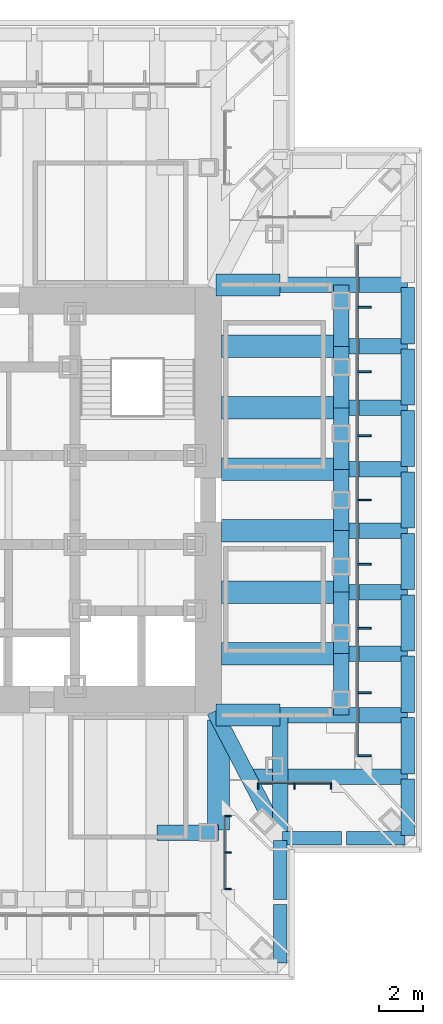
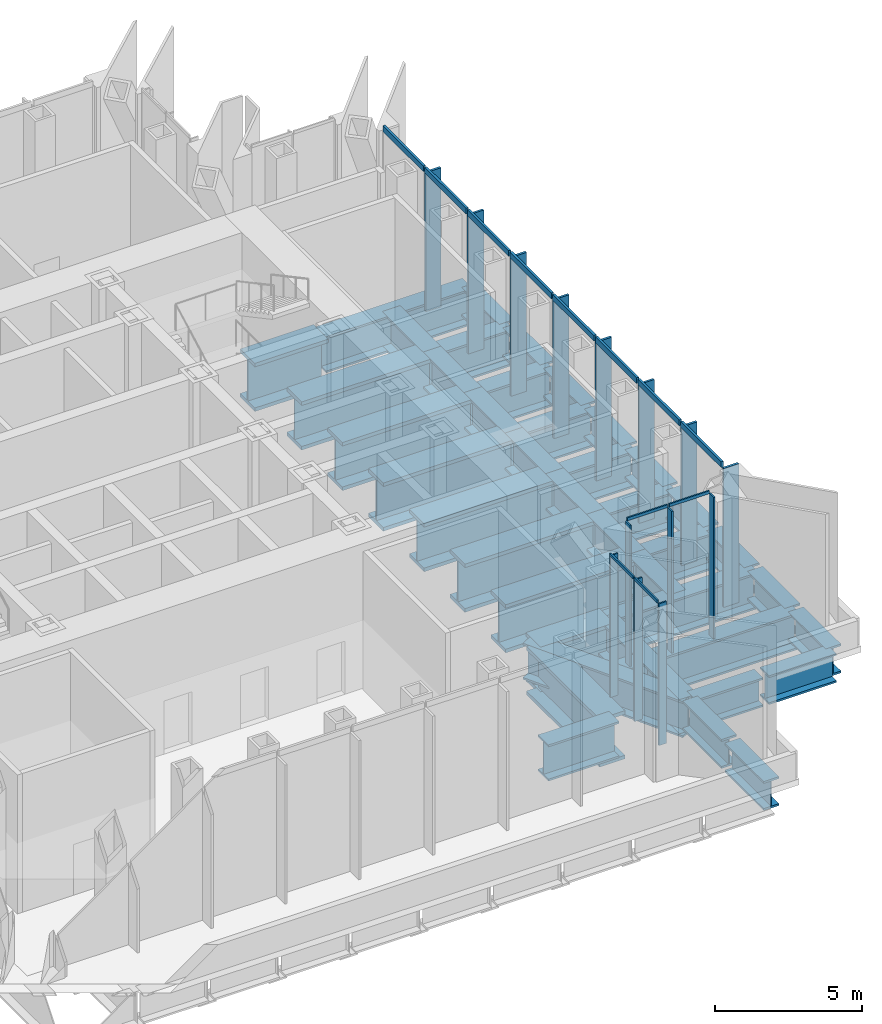
# One storey, part 4 of 13: 41 beams, 26 members, 3 elements without a shape of their own.
"""IFC4 building model written with IfcOpenShell, lengths in metres."""

from ifc_helpers import new_model, si_unit, direction, frame, origin, origin_2d, place, context, subcontext, project, spatial, rectangle, i_section, extrude, material, material_profile, profile_set, type_object, element, aggregate, save


model = new_model("IFC4")

# Units and contexts
model_context = context("Model", 3, precision=1e-05, world=origin(), true_north=direction((0.0, 1.0)))
body_context = subcontext(model_context, "Body", "Model", "MODEL_VIEW")
ifc_project = project(units=[si_unit("LENGTHUNIT", "METRE"), si_unit("AREAUNIT", "SQUARE_METRE"), si_unit("VOLUMEUNIT", "CUBIC_METRE"), si_unit("PLANEANGLEUNIT", "RADIAN"), si_unit("MASSUNIT", "GRAM", prefix="KILO")], contexts=[model_context])

# Site, building, storey
site_placement = place(None, origin())
site = spatial("IfcSite", under=ifc_project, at=site_placement, CompositionType="ELEMENT")
building_placement = place(site_placement, origin())
building = spatial("IfcBuilding", under=site, at=building_placement, Name="Daluyong Arena Tower", CompositionType="ELEMENT")
storey_placement = place(building_placement, frame((0.0, 0.0, 279.699951171875)))
storey = spatial("IfcBuildingStorey", under=building, at=storey_placement, Name="L63", CompositionType="ELEMENT", Elevation=279.699951171875)

# Curtain wall, members
ifc_material_1 = material(Name="Bronze anodised aluminium and glass", Category="aluminium")
curtain_wall_type_1 = type_object("IfcCurtainWallType", Name="Curtain wall CW5", PredefinedType="USERDEFINED", material=ifc_material_1)
curtain_wall_1_placement = place(storey_placement, origin())
curtain_wall_1 = element("IfcCurtainWall", 1, at=curtain_wall_1_placement, inside=storey, type_object=curtain_wall_type_1, Name="curtain wall L63 E", ObjectType="UNITISED CURTAIN WALL", PredefinedType="USERDEFINED")
ifc_material_2 = material(Name="Bronze anodised aluminium fin", Category="aluminium")
ifc_material_profile_1 = material_profile(ifc_material_2, rectangle(XDim=0.60009765625, YDim=0.090087890625, at=origin_2d()))
ifc_profile_set_1 = profile_set([ifc_material_profile_1], Name="Bronze anodised aluminium fin")
member_type_1 = type_object("IfcMemberType", Name="CW5 bronze fin 600x90", PredefinedType="MULLION", material=ifc_profile_set_1)
member_1_placement = place(storey_placement, frame((75.050048828125, 68.45947265625, 0.0), z_axis=(0.0, 0.0, 1.0), x_axis=(-1.0, 0.0, 0.0)))
member_1 = element("IfcMember", 2, at=member_1_placement, type_object=member_type_1, Name="curtain wall L63 E fin 1", PredefinedType="MULLION", context=body_context, shape_type="SweptSolid", body=[
    extrude(rectangle(XDim=0.60009765625, YDim=0.090087890625, at=origin_2d()), origin(), (0.0, 0.0, 1.0), 5.760009765625),
])
member_2_placement = place(storey_placement, frame((75.050048828125, 71.310791015625, 0.0), z_axis=(0.0, 0.0, 1.0), x_axis=(-1.0, 0.0, 0.0)))
member_2 = element("IfcMember", 3, at=member_2_placement, type_object=member_type_1, Name="curtain wall L63 E fin 2", PredefinedType="MULLION", context=body_context, shape_type="SweptSolid", body=[
    extrude(rectangle(XDim=0.60009765625, YDim=0.090087890625, at=origin_2d()), origin(), (0.0, 0.0, 1.0), 5.760009765625),
])
member_3_placement = place(storey_placement, frame((75.050048828125, 74.207275390625, 0.0), z_axis=(0.0, 0.0, 1.0), x_axis=(-1.0, 0.0, 0.0)))
member_3 = element("IfcMember", 4, at=member_3_placement, type_object=member_type_1, Name="curtain wall L63 E fin 3", PredefinedType="MULLION", context=body_context, shape_type="SweptSolid", body=[
    extrude(rectangle(XDim=0.60009765625, YDim=0.090087890625, at=origin_2d()), origin(), (0.0, 0.0, 1.0), 5.760009765625),
])
member_4_placement = place(storey_placement, frame((75.050048828125, 77.103515625, 0.0), z_axis=(0.0, 0.0, 1.0), x_axis=(-1.0, 0.0, 0.0)))
member_4 = element("IfcMember", 5, at=member_4_placement, type_object=member_type_1, Name="curtain wall L63 E fin 4", PredefinedType="MULLION", context=body_context, shape_type="SweptSolid", body=[
    extrude(rectangle(XDim=0.60009765625, YDim=0.090087890625, at=origin_2d()), origin(), (0.0, 0.0, 1.0), 5.760009765625),
])
member_5_placement = place(storey_placement, frame((75.050048828125, 80.0, 0.0), z_axis=(0.0, 0.0, 1.0), x_axis=(-1.0, 0.0, 0.0)))
member_5 = element("IfcMember", 6, at=member_5_placement, type_object=member_type_1, Name="curtain wall L63 E fin 5", PredefinedType="MULLION", context=body_context, shape_type="SweptSolid", body=[
    extrude(rectangle(XDim=0.60009765625, YDim=0.090087890625, at=origin_2d()), origin(), (0.0, 0.0, 1.0), 5.760009765625),
])
member_6_placement = place(storey_placement, frame((75.050048828125, 82.896484375, 0.0), z_axis=(0.0, 0.0, 1.0), x_axis=(-1.0, 0.0, 0.0)))
member_6 = element("IfcMember", 7, at=member_6_placement, type_object=member_type_1, Name="curtain wall L63 E fin 6", PredefinedType="MULLION", context=body_context, shape_type="SweptSolid", body=[
    extrude(rectangle(XDim=0.60009765625, YDim=0.090087890625, at=origin_2d()), origin(), (0.0, 0.0, 1.0), 5.760009765625),
])
member_7_placement = place(storey_placement, frame((75.050048828125, 85.792724609375, 0.0), z_axis=(0.0, 0.0, 1.0), x_axis=(-1.0, 0.0, 0.0)))
member_7 = element("IfcMember", 8, at=member_7_placement, type_object=member_type_1, Name="curtain wall L63 E fin 7", PredefinedType="MULLION", context=body_context, shape_type="SweptSolid", body=[
    extrude(rectangle(XDim=0.60009765625, YDim=0.090087890625, at=origin_2d()), origin(), (0.0, 0.0, 1.0), 5.760009765625),
])
member_8_placement = place(storey_placement, frame((75.050048828125, 88.689208984375, 0.0), z_axis=(0.0, 0.0, 1.0), x_axis=(-1.0, 0.0, 0.0)))
member_8 = element("IfcMember", 9, at=member_8_placement, type_object=member_type_1, Name="curtain wall L63 E fin 8", PredefinedType="MULLION", context=body_context, shape_type="SweptSolid", body=[
    extrude(rectangle(XDim=0.60009765625, YDim=0.090087890625, at=origin_2d()), origin(), (0.0, 0.0, 1.0), 5.760009765625),
])
ifc_material_3 = material(Name="Bronze anodised aluminium", Category="aluminium")
ifc_material_profile_2 = material_profile(ifc_material_3, rectangle(XDim=0.090087890625, YDim=0.239990234375, at=origin_2d()))
ifc_profile_set_2 = profile_set([ifc_material_profile_2], Name="Bronze anodised aluminium")
member_type_2 = type_object("IfcMemberType", Name="CW5 stack transom 240x90", PredefinedType="USERDEFINED", material=ifc_profile_set_2)
member_9_placement = place(storey_placement, frame((74.75, 68.50439453125, 5.880126953125), z_axis=(0.0, 1.0, 0.0), x_axis=(-1.0, 0.0, 0.0)))
member_9 = element("IfcMember", 10, at=member_9_placement, type_object=member_type_2, Name="curtain wall L63 E transom 1", ObjectType="TRANSOM", PredefinedType="USERDEFINED", context=body_context, shape_type="SweptSolid", body=[
    extrude(rectangle(XDim=0.090087890625, YDim=0.239990234375, at=origin_2d()), origin(), (0.0, 0.0, 1.0), 2.761474609375),
])
member_10_placement = place(storey_placement, frame((74.75, 71.35595703125, 5.880126953125), z_axis=(0.0, 1.0, 0.0), x_axis=(-1.0, 0.0, 0.0)))
member_10 = element("IfcMember", 11, at=member_10_placement, type_object=member_type_2, Name="curtain wall L63 E transom 2", ObjectType="TRANSOM", PredefinedType="USERDEFINED", context=body_context, shape_type="SweptSolid", body=[
    extrude(rectangle(XDim=0.090087890625, YDim=0.239990234375, at=origin_2d()), origin(), (0.0, 0.0, 1.0), 2.806396484375),
])
member_11_placement = place(storey_placement, frame((74.75, 74.252197265625, 5.880126953125), z_axis=(0.0, 1.0, 0.0), x_axis=(-1.0, 0.0, 0.0)))
member_11 = element("IfcMember", 12, at=member_11_placement, type_object=member_type_2, Name="curtain wall L63 E transom 3", ObjectType="TRANSOM", PredefinedType="USERDEFINED", context=body_context, shape_type="SweptSolid", body=[
    extrude(rectangle(XDim=0.090087890625, YDim=0.239990234375, at=origin_2d()), origin(), (0.0, 0.0, 1.0), 2.806396484375),
])
member_12_placement = place(storey_placement, frame((74.75, 77.148681640625, 5.880126953125), z_axis=(0.0, 1.0, 0.0), x_axis=(-1.0, 0.0, 0.0)))
member_12 = element("IfcMember", 13, at=member_12_placement, type_object=member_type_2, Name="curtain wall L63 E transom 4", ObjectType="TRANSOM", PredefinedType="USERDEFINED", context=body_context, shape_type="SweptSolid", body=[
    extrude(rectangle(XDim=0.090087890625, YDim=0.239990234375, at=origin_2d()), origin(), (0.0, 0.0, 1.0), 2.806396484375),
])
member_13_placement = place(storey_placement, frame((74.75, 80.044921875, 5.880126953125), z_axis=(0.0, 1.0, 0.0), x_axis=(-1.0, 0.0, 0.0)))
member_13 = element("IfcMember", 14, at=member_13_placement, type_object=member_type_2, Name="curtain wall L63 E transom 5", ObjectType="TRANSOM", PredefinedType="USERDEFINED", context=body_context, shape_type="SweptSolid", body=[
    extrude(rectangle(XDim=0.090087890625, YDim=0.239990234375, at=origin_2d()), origin(), (0.0, 0.0, 1.0), 2.806396484375),
])
member_14_placement = place(storey_placement, frame((74.75, 82.94140625, 5.880126953125), z_axis=(0.0, 1.0, 0.0), x_axis=(-1.0, 0.0, 0.0)))
member_14 = element("IfcMember", 15, at=member_14_placement, type_object=member_type_2, Name="curtain wall L63 E transom 6", ObjectType="TRANSOM", PredefinedType="USERDEFINED", context=body_context, shape_type="SweptSolid", body=[
    extrude(rectangle(XDim=0.090087890625, YDim=0.239990234375, at=origin_2d()), origin(), (0.0, 0.0, 1.0), 2.806396484375),
])
member_15_placement = place(storey_placement, frame((74.75, 85.837646484375, 5.880126953125), z_axis=(0.0, 1.0, 0.0), x_axis=(-1.0, 0.0, 0.0)))
member_15 = element("IfcMember", 16, at=member_15_placement, type_object=member_type_2, Name="curtain wall L63 E transom 7", ObjectType="TRANSOM", PredefinedType="USERDEFINED", context=body_context, shape_type="SweptSolid", body=[
    extrude(rectangle(XDim=0.090087890625, YDim=0.239990234375, at=origin_2d()), origin(), (0.0, 0.0, 1.0), 2.806396484375),
])
member_16_placement = place(storey_placement, frame((74.75, 88.734130859375, 5.880126953125), z_axis=(0.0, 1.0, 0.0), x_axis=(-1.0, 0.0, 0.0)))
member_16 = element("IfcMember", 17, at=member_16_placement, type_object=member_type_2, Name="curtain wall L63 E transom 8", ObjectType="TRANSOM", PredefinedType="USERDEFINED", context=body_context, shape_type="SweptSolid", body=[
    extrude(rectangle(XDim=0.090087890625, YDim=0.239990234375, at=origin_2d()), origin(), (0.0, 0.0, 1.0), 2.761474609375),
])
aggregate(curtain_wall_1, [member_1, member_2, member_3, member_4, member_5, member_6, member_7, member_8, member_9, member_10, member_11, member_12, member_13, member_14, member_15, member_16])

ifc_material_4 = material(Name="Bronze anodised aluminium and glass", Category="aluminium")
curtain_wall_type_2 = type_object("IfcCurtainWallType", Name="Curtain wall CW7", PredefinedType="USERDEFINED", material=ifc_material_4)
curtain_wall_2_placement = place(storey_placement, origin())
curtain_wall_2 = element("IfcCurtainWall", 18, at=curtain_wall_2_placement, inside=storey, type_object=curtain_wall_type_2, Name="curtain wall L63 SE-E", ObjectType="UNITISED CURTAIN WALL", PredefinedType="USERDEFINED")
ifc_material_5 = material(Name="Bronze anodised aluminium fin", Category="aluminium")
ifc_material_profile_3 = material_profile(ifc_material_5, rectangle(XDim=0.300048828125, YDim=0.06005859375, at=origin_2d()))
ifc_profile_set_3 = profile_set([ifc_material_profile_3], Name="Bronze anodised aluminium fin")
member_type_3 = type_object("IfcMemberType", Name="CW7 bronze fin 300x60", PredefinedType="MULLION", material=ifc_profile_set_3)
member_17_placement = place(storey_placement, frame((68.89990234375, 62.45947265625, 0.0), z_axis=(0.0, 0.0, 1.0), x_axis=(-1.0, 0.0, 0.0)))
member_17 = element("IfcMember", 19, at=member_17_placement, type_object=member_type_3, Name="curtain wall L63 SE-E fin 1", PredefinedType="MULLION", context=body_context, shape_type="SweptSolid", body=[
    extrude(rectangle(XDim=0.300048828125, YDim=0.06005859375, at=origin_2d()), origin(), (0.0, 0.0, 1.0), 5.880126953125),
])
member_18_placement = place(storey_placement, frame((68.89990234375, 64.103759765625, 0.0), z_axis=(0.0, 0.0, 1.0), x_axis=(-1.0, 0.0, 0.0)))
member_18 = element("IfcMember", 20, at=member_18_placement, type_object=member_type_3, Name="curtain wall L63 SE-E fin 2", PredefinedType="MULLION", context=body_context, shape_type="SweptSolid", body=[
    extrude(rectangle(XDim=0.300048828125, YDim=0.06005859375, at=origin_2d()), origin(), (0.0, 0.0, 1.0), 5.880126953125),
])
member_19_placement = place(storey_placement, frame((68.89990234375, 65.747802734375, 0.0), z_axis=(0.0, 0.0, 1.0), x_axis=(-1.0, 0.0, 0.0)))
member_19 = element("IfcMember", 21, at=member_19_placement, type_object=member_type_3, Name="curtain wall L63 SE-E fin 3", PredefinedType="MULLION", context=body_context, shape_type="SweptSolid", body=[
    extrude(rectangle(XDim=0.300048828125, YDim=0.06005859375, at=origin_2d()), origin(), (0.0, 0.0, 1.0), 5.880126953125),
])

curtain_wall_3_placement = place(storey_placement, origin())
curtain_wall_3 = element("IfcCurtainWall", 22, at=curtain_wall_3_placement, inside=storey, type_object=curtain_wall_type_2, Name="curtain wall L63 SE-S", ObjectType="UNITISED CURTAIN WALL", PredefinedType="USERDEFINED")
member_20_placement = place(storey_placement, frame((70.252197265625, 67.10009765625, 0.0), z_axis=(0.0, 0.0, 1.0), x_axis=(0.0, 1.0, 0.0)))
member_20 = element("IfcMember", 23, at=member_20_placement, type_object=member_type_3, Name="curtain wall L63 SE-S fin 1", PredefinedType="MULLION", context=body_context, shape_type="SweptSolid", body=[
    extrude(rectangle(XDim=0.300048828125, YDim=0.06005859375, at=origin_2d()), origin(), (0.0, 0.0, 1.0), 5.880126953125),
])
member_21_placement = place(storey_placement, frame((71.896240234375, 67.10009765625, 0.0), z_axis=(0.0, 0.0, 1.0), x_axis=(0.0, 1.0, 0.0)))
member_21 = element("IfcMember", 24, at=member_21_placement, type_object=member_type_3, Name="curtain wall L63 SE-S fin 2", PredefinedType="MULLION", context=body_context, shape_type="SweptSolid", body=[
    extrude(rectangle(XDim=0.300048828125, YDim=0.06005859375, at=origin_2d()), origin(), (0.0, 0.0, 1.0), 5.880126953125),
])
member_22_placement = place(storey_placement, frame((73.54052734375, 67.10009765625, 0.0), z_axis=(0.0, 0.0, 1.0), x_axis=(0.0, 1.0, 0.0)))
member_22 = element("IfcMember", 25, at=member_22_placement, type_object=member_type_3, Name="curtain wall L63 SE-S fin 3", PredefinedType="MULLION", context=body_context, shape_type="SweptSolid", body=[
    extrude(rectangle(XDim=0.300048828125, YDim=0.06005859375, at=origin_2d()), origin(), (0.0, 0.0, 1.0), 5.880126953125),
])

# Member
ifc_material_6 = material(Name="Bronze anodised aluminium", Category="aluminium")
ifc_material_profile_4 = material_profile(ifc_material_6, rectangle(XDim=0.06005859375, YDim=0.1201171875, at=origin_2d()))
ifc_profile_set_4 = profile_set([ifc_material_profile_4], Name="Bronze anodised aluminium")
member_type_4 = type_object("IfcMemberType", Name="CW7 stack transom 120x60", PredefinedType="USERDEFINED", material=ifc_profile_set_4)
member_23_placement = place(storey_placement, frame((68.75, 62.489501953125, 5.93994140625), z_axis=(0.0, 1.0, 0.0), x_axis=(-1.0, 0.0, 0.0)))
member_23 = element("IfcMember", 26, at=member_23_placement, type_object=member_type_4, Name="curtain wall L63 SE-E transom 1", ObjectType="TRANSOM", PredefinedType="USERDEFINED", context=body_context, shape_type="SweptSolid", body=[
    extrude(rectangle(XDim=0.06005859375, YDim=0.1201171875, at=origin_2d()), origin(), (0.0, 0.0, 1.0), 1.584228515625),
])

member_24_placement = place(storey_placement, frame((68.75, 64.1337890625, 5.93994140625), z_axis=(0.0, 1.0, 0.0), x_axis=(-1.0, 0.0, 0.0)))
member_24 = element("IfcMember", 27, at=member_24_placement, type_object=member_type_4, Name="curtain wall L63 SE-E transom 2", ObjectType="TRANSOM", PredefinedType="USERDEFINED", context=body_context, shape_type="SweptSolid", body=[
    extrude(rectangle(XDim=0.06005859375, YDim=0.1201171875, at=origin_2d()), origin(), (0.0, 0.0, 1.0), 1.584228515625),
])

aggregate(curtain_wall_2, [member_17, member_18, member_19, member_23, member_24])

member_25_placement = place(storey_placement, frame((70.281982421875, 67.25, 5.93994140625), z_axis=(1.0, 0.0, 0.0), x_axis=(0.0, 1.0, 0.0)))
member_25 = element("IfcMember", 28, at=member_25_placement, type_object=member_type_4, Name="curtain wall L63 SE-S transom 1", ObjectType="TRANSOM", PredefinedType="USERDEFINED", context=body_context, shape_type="SweptSolid", body=[
    extrude(rectangle(XDim=0.06005859375, YDim=0.1201171875, at=origin_2d()), origin(), (0.0, 0.0, 1.0), 1.584228515625),
])

member_26_placement = place(storey_placement, frame((71.92626953125, 67.25, 5.93994140625), z_axis=(1.0, 0.0, 0.0), x_axis=(0.0, 1.0, 0.0)))
member_26 = element("IfcMember", 29, at=member_26_placement, type_object=member_type_4, Name="curtain wall L63 SE-S transom 2", ObjectType="TRANSOM", PredefinedType="USERDEFINED", context=body_context, shape_type="SweptSolid", body=[
    extrude(rectangle(XDim=0.06005859375, YDim=0.1201171875, at=origin_2d()), origin(), (0.0, 0.0, 1.0), 1.584228515625),
])

aggregate(curtain_wall_3, [member_20, member_21, member_22, member_25, member_26])

# Beams
ifc_material_7 = material(Name="Steel ASTM A588 Grade 50", Category="steel")
ifc_material_profile_5 = material_profile(ifc_material_7, i_section(OverallWidth=1.0, OverallDepth=2.0, WebThickness=0.06, FlangeThickness=0.15, at=origin_2d()))
ifc_profile_set_5 = profile_set([ifc_material_profile_5], Name="Steel ASTM A588 Grade 50")
beam_type_1 = type_object("IfcBeamType", Name="Floor beam PG2000X1000", PredefinedType="BEAM", material=ifc_profile_set_5)
beam_1_placement = place(storey_placement, frame((68.477294921875, 65.114990234375, -1.25), z_axis=(0.0, 1.0, 0.0), x_axis=(-1.0, 0.0, 0.0)))
element("IfcBeam", 30, at=beam_1_placement, inside=storey, type_object=beam_type_1, Name="floor beam FB5", PredefinedType="BEAM", context=body_context, shape_type="SweptSolid", body=[
    extrude(i_section(OverallWidth=1.0, OverallDepth=2.0, WebThickness=0.06, FlangeThickness=0.15, at=origin_2d()), origin(), (0.0, 0.0, 1.0), 4.96728515625),
])
for number, where, z_axis, x_axis, name in (
    (31, (73.885009765625, 73.068115234375, -1.25), (-1.0, 0.0, 0.0), (0.0, -1.0, 0.0), "floor beam FB5"),
    (32, (73.885009765625, 75.8408203125, -1.25), (-1.0, 0.0, 0.0), (0.0, -1.0, 0.0), "floor beam FB5"),
    (33, (73.885009765625, 78.613525390625, -1.25), (-1.0, 0.0, 0.0), (0.0, -1.0, 0.0), "floor beam FB5"),
    (34, (73.885009765625, 81.386474609375, -1.25), (-1.0, 0.0, 0.0), (0.0, -1.0, 0.0), "floor beam FB5"),
    (35, (73.885009765625, 84.1591796875, -1.25), (-1.0, 0.0, 0.0), (0.0, -1.0, 0.0), "floor beam FB5"),
    (36, (73.885009765625, 86.931884765625, -1.25), (-1.0, 0.0, 0.0), (0.0, -1.0, 0.0), "floor beam FB5"),
):
    element("IfcBeam", number, at=place(storey_placement, frame(where, z_axis=z_axis, x_axis=x_axis)), inside=storey, type_object=beam_type_1, Name=name, PredefinedType="BEAM", context=body_context, shape_type="SweptSolid", body=[
        extrude(i_section(OverallWidth=1.0, OverallDepth=2.0, WebThickness=0.06, FlangeThickness=0.15, at=origin_2d()), origin(), (0.0, 0.0, 1.0), 5.284912109375),
    ])
for number, where, z_axis, x_axis, name in (
    (37, (71.25, 70.29541015625, -1.25), (-1.0, 0.0, 0.0), (0.0, -1.0, 0.0), "floor beam FB5"),
    (38, (71.25, 89.70458984375, -1.25), (-1.0, 0.0, 0.0), (0.0, -1.0, 0.0), "floor beam FB5"),
):
    element("IfcBeam", number, at=place(storey_placement, frame(where, z_axis=z_axis, x_axis=x_axis)), inside=storey, type_object=beam_type_1, Name=name, PredefinedType="BEAM", context=body_context, shape_type="SweptSolid", body=[
        extrude(i_section(OverallWidth=1.0, OverallDepth=2.0, WebThickness=0.06, FlangeThickness=0.15, at=origin_2d()), origin(), (0.0, 0.0, 1.0), 2.883544921875),
    ])
ifc_material_8 = material(Name="Steel ASTM A572 Grade 50", Category="steel")
ifc_material_profile_6 = material_profile(ifc_material_8, i_section(OverallWidth=0.60009765625, OverallDepth=1.199951171875, WebThickness=0.03, FlangeThickness=0.08, at=origin_2d()))
ifc_profile_set_6 = profile_set([ifc_material_profile_6], Name="Steel ASTM A572 Grade 50")
beam_type_2 = type_object("IfcBeamType", Name="Spandrel Z4 PG1200X600", PredefinedType="SPANDREL", material=ifc_profile_set_6)
for number, where, z_axis, x_axis, name in (
    (39, (71.25, 59.114990234375, -0.849853515625), (0.0, 1.0, 0.0), (-1.0, 0.0, 0.0), "spandrel z4 SB9"),
    (40, (71.25, 61.989990234375, -0.849853515625), (0.0, 1.0, 0.0), (-1.0, 0.0, 0.0), "spandrel z4 SB9"),
    (41, (71.364990234375, 64.75, -0.849853515625), (1.0, 0.0, 0.0), (0.0, 1.0, 0.0), "spandrel z4 SB9"),
    (42, (74.239990234375, 64.75, -0.849853515625), (1.0, 0.0, 0.0), (0.0, 1.0, 0.0), "spandrel z4 SB9"),
):
    element("IfcBeam", number, at=place(storey_placement, frame(where, z_axis=z_axis, x_axis=x_axis)), inside=storey, type_object=beam_type_2, Name=name, PredefinedType="SPANDREL", context=body_context, shape_type="SweptSolid", body=[
        extrude(i_section(OverallWidth=0.60009765625, OverallDepth=1.199951171875, WebThickness=0.03, FlangeThickness=0.08, at=origin_2d()), origin(), (0.0, 0.0, 1.0), 2.64501953125),
    ])
for number, where, z_axis, x_axis, name in (
    (43, (77.0, 64.864990234375, -0.849853515625), (0.0, 1.0, 0.0), (-1.0, 0.0, 0.0), "spandrel z4 SB9"),
    (44, (77.0, 67.6376953125, -0.849853515625), (0.0, 1.0, 0.0), (-1.0, 0.0, 0.0), "spandrel z4 SB9"),
    (45, (77.0, 70.410400390625, -0.849853515625), (0.0, 1.0, 0.0), (-1.0, 0.0, 0.0), "spandrel z4 SB9"),
    (46, (77.0, 73.18310546875, -0.849853515625), (0.0, 1.0, 0.0), (-1.0, 0.0, 0.0), "spandrel z4 SB9"),
    (47, (77.0, 75.955810546875, -0.849853515625), (0.0, 1.0, 0.0), (-1.0, 0.0, 0.0), "spandrel z4 SB9"),
):
    element("IfcBeam", number, at=place(storey_placement, frame(where, z_axis=z_axis, x_axis=x_axis)), inside=storey, type_object=beam_type_2, Name=name, PredefinedType="SPANDREL", context=body_context, shape_type="SweptSolid", body=[
        extrude(i_section(OverallWidth=0.60009765625, OverallDepth=1.199951171875, WebThickness=0.03, FlangeThickness=0.08, at=origin_2d()), origin(), (0.0, 0.0, 1.0), 2.542724609375),
    ])
beam_2_placement = place(storey_placement, frame((77.0, 78.728515625, -0.849853515625), z_axis=(0.0, 1.0, 0.0), x_axis=(-1.0, 0.0, 0.0)))
element("IfcBeam", 48, at=beam_2_placement, inside=storey, type_object=beam_type_2, Name="spandrel z4 SB9", PredefinedType="SPANDREL", context=body_context, shape_type="SweptSolid", body=[
    extrude(i_section(OverallWidth=0.60009765625, OverallDepth=1.199951171875, WebThickness=0.03, FlangeThickness=0.08, at=origin_2d()), origin(), (0.0, 0.0, 1.0), 2.54296875),
])
for number, where, z_axis, x_axis, name in (
    (49, (77.0, 81.50146484375, -0.849853515625), (0.0, 1.0, 0.0), (-1.0, 0.0, 0.0), "spandrel z4 SB9"),
    (50, (77.0, 84.274169921875, -0.849853515625), (0.0, 1.0, 0.0), (-1.0, 0.0, 0.0), "spandrel z4 SB9"),
    (51, (77.0, 87.046875, -0.849853515625), (0.0, 1.0, 0.0), (-1.0, 0.0, 0.0), "spandrel z4 SB9"),
):
    element("IfcBeam", number, at=place(storey_placement, frame(where, z_axis=z_axis, x_axis=x_axis)), inside=storey, type_object=beam_type_2, Name=name, PredefinedType="SPANDREL", context=body_context, shape_type="SweptSolid", body=[
        extrude(i_section(OverallWidth=0.60009765625, OverallDepth=1.199951171875, WebThickness=0.03, FlangeThickness=0.08, at=origin_2d()), origin(), (0.0, 0.0, 1.0), 2.542724609375),
    ])
ifc_material_9 = material(Name="Steel ASTM A572 Grade 50", Category="steel")
ifc_material_profile_7 = material_profile(ifc_material_9, i_section(OverallWidth=0.699951171875, OverallDepth=1.5, WebThickness=0.04, FlangeThickness=0.08, at=origin_2d()))
ifc_profile_set_7 = profile_set([ifc_material_profile_7], Name="Steel ASTM A572 Grade 50")
beam_type_3 = type_object("IfcBeamType", Name="Transfer beam PG1500X700", PredefinedType="BEAM", material=ifc_profile_set_7)
beam_3_placement = place(storey_placement, frame((71.25, 64.75, -1.0), z_axis=(-0.461340808661, 0.887223003683, 0.0), x_axis=(-0.887223003683, -0.461340808661, 0.0)))
element("IfcBeam", 52, at=beam_3_placement, inside=storey, type_object=beam_type_3, Name="transfer beam TR6", PredefinedType="BEAM", context=body_context, shape_type="SweptSolid", body=[
    extrude(i_section(OverallWidth=0.699951171875, OverallDepth=1.5, WebThickness=0.04, FlangeThickness=0.08, at=origin_2d()), origin(), (0.0, 0.0, 1.0), 6.444580078125),
])
for number, where, z_axis, x_axis, name in (
    (53, (65.70458984375, 65.0, -1.0), (1.0, 0.0, 0.0), (0.0, 1.0, 0.0), "transfer beam TR6"),
    (54, (74.0, 70.29541015625, -1.0), (0.0, 1.0, 0.0), (-1.0, 0.0, 0.0), "transfer beam TR6"),
    (55, (74.0, 73.068115234375, -1.0), (0.0, 1.0, 0.0), (-1.0, 0.0, 0.0), "transfer beam TR6"),
    (56, (74.0, 75.8408203125, -1.0), (0.0, 1.0, 0.0), (-1.0, 0.0, 0.0), "transfer beam TR6"),
):
    element("IfcBeam", number, at=place(storey_placement, frame(where, z_axis=z_axis, x_axis=x_axis)), inside=storey, type_object=beam_type_3, Name=name, PredefinedType="BEAM", context=body_context, shape_type="SweptSolid", body=[
        extrude(i_section(OverallWidth=0.699951171875, OverallDepth=1.5, WebThickness=0.04, FlangeThickness=0.08, at=origin_2d()), origin(), (0.0, 0.0, 1.0), 2.772705078125),
    ])
beam_4_placement = place(storey_placement, frame((74.0, 78.613525390625, -1.0), z_axis=(0.0, 1.0, 0.0), x_axis=(-1.0, 0.0, 0.0)))
element("IfcBeam", 57, at=beam_4_placement, inside=storey, type_object=beam_type_3, Name="transfer beam TR6", PredefinedType="BEAM", context=body_context, shape_type="SweptSolid", body=[
    extrude(i_section(OverallWidth=0.699951171875, OverallDepth=1.5, WebThickness=0.04, FlangeThickness=0.08, at=origin_2d()), origin(), (0.0, 0.0, 1.0), 2.77294921875),
])
for number, where, z_axis, x_axis, name in (
    (58, (74.0, 81.386474609375, -1.0), (0.0, 1.0, 0.0), (-1.0, 0.0, 0.0), "transfer beam TR6"),
    (59, (74.0, 84.1591796875, -1.0), (0.0, 1.0, 0.0), (-1.0, 0.0, 0.0), "transfer beam TR6"),
    (60, (74.0, 86.931884765625, -1.0), (0.0, 1.0, 0.0), (-1.0, 0.0, 0.0), "transfer beam TR6"),
):
    element("IfcBeam", number, at=place(storey_placement, frame(where, z_axis=z_axis, x_axis=x_axis)), inside=storey, type_object=beam_type_3, Name=name, PredefinedType="BEAM", context=body_context, shape_type="SweptSolid", body=[
        extrude(i_section(OverallWidth=0.699951171875, OverallDepth=1.5, WebThickness=0.04, FlangeThickness=0.08, at=origin_2d()), origin(), (0.0, 0.0, 1.0), 2.772705078125),
    ])
beam_5_placement = place(storey_placement, frame((71.25, 64.75, -1.0), z_axis=(0.0, 1.0, 0.0), x_axis=(-1.0, 0.0, 0.0)))
element("IfcBeam", 61, at=beam_5_placement, inside=storey, type_object=beam_type_3, Name="transfer beam TR6", PredefinedType="BEAM", context=body_context, shape_type="SweptSolid", body=[
    extrude(i_section(OverallWidth=0.699951171875, OverallDepth=1.5, WebThickness=0.04, FlangeThickness=0.08, at=origin_2d()), origin(), (0.0, 0.0, 1.0), 5.54541015625),
])
for number, where, z_axis, x_axis, name in (
    (62, (77.0, 70.29541015625, -1.0), (-1.0, 0.0, 0.0), (0.0, -1.0, 0.0), "transfer beam TR6"),
    (63, (77.0, 89.70458984375, -1.0), (-1.0, 0.0, 0.0), (0.0, -1.0, 0.0), "transfer beam TR6"),
):
    element("IfcBeam", number, at=place(storey_placement, frame(where, z_axis=z_axis, x_axis=x_axis)), inside=storey, type_object=beam_type_3, Name=name, PredefinedType="BEAM", context=body_context, shape_type="SweptSolid", body=[
        extrude(i_section(OverallWidth=0.699951171875, OverallDepth=1.5, WebThickness=0.04, FlangeThickness=0.08, at=origin_2d()), origin(), (0.0, 0.0, 1.0), 5.75),
    ])
beam_6_placement = place(storey_placement, frame((77.0, 67.522705078125, -1.0), z_axis=(-1.0, 0.0, 0.0), x_axis=(0.0, -1.0, 0.0)))
element("IfcBeam", 64, at=beam_6_placement, inside=storey, type_object=beam_type_3, Name="transfer beam TR6", PredefinedType="BEAM", context=body_context, shape_type="SweptSolid", body=[
    extrude(i_section(OverallWidth=0.699951171875, OverallDepth=1.5, WebThickness=0.04, FlangeThickness=0.08, at=origin_2d()), origin(), (0.0, 0.0, 1.0), 7.19189453125),
])
for number, where, z_axis, x_axis, name in (
    (65, (77.0, 73.068115234375, -1.0), (-1.0, 0.0, 0.0), (0.0, -1.0, 0.0), "transfer beam TR6"),
    (66, (77.0, 75.8408203125, -1.0), (-1.0, 0.0, 0.0), (0.0, -1.0, 0.0), "transfer beam TR6"),
    (67, (77.0, 78.613525390625, -1.0), (-1.0, 0.0, 0.0), (0.0, -1.0, 0.0), "transfer beam TR6"),
    (68, (77.0, 81.386474609375, -1.0), (-1.0, 0.0, 0.0), (0.0, -1.0, 0.0), "transfer beam TR6"),
    (69, (77.0, 84.1591796875, -1.0), (-1.0, 0.0, 0.0), (0.0, -1.0, 0.0), "transfer beam TR6"),
    (70, (77.0, 86.931884765625, -1.0), (-1.0, 0.0, 0.0), (0.0, -1.0, 0.0), "transfer beam TR6"),
):
    element("IfcBeam", number, at=place(storey_placement, frame(where, z_axis=z_axis, x_axis=x_axis)), inside=storey, type_object=beam_type_3, Name=name, PredefinedType="BEAM", context=body_context, shape_type="SweptSolid", body=[
        extrude(i_section(OverallWidth=0.699951171875, OverallDepth=1.5, WebThickness=0.04, FlangeThickness=0.08, at=origin_2d()), origin(), (0.0, 0.0, 1.0), 3.114990234375),
    ])

save(model, "model.ifc")
